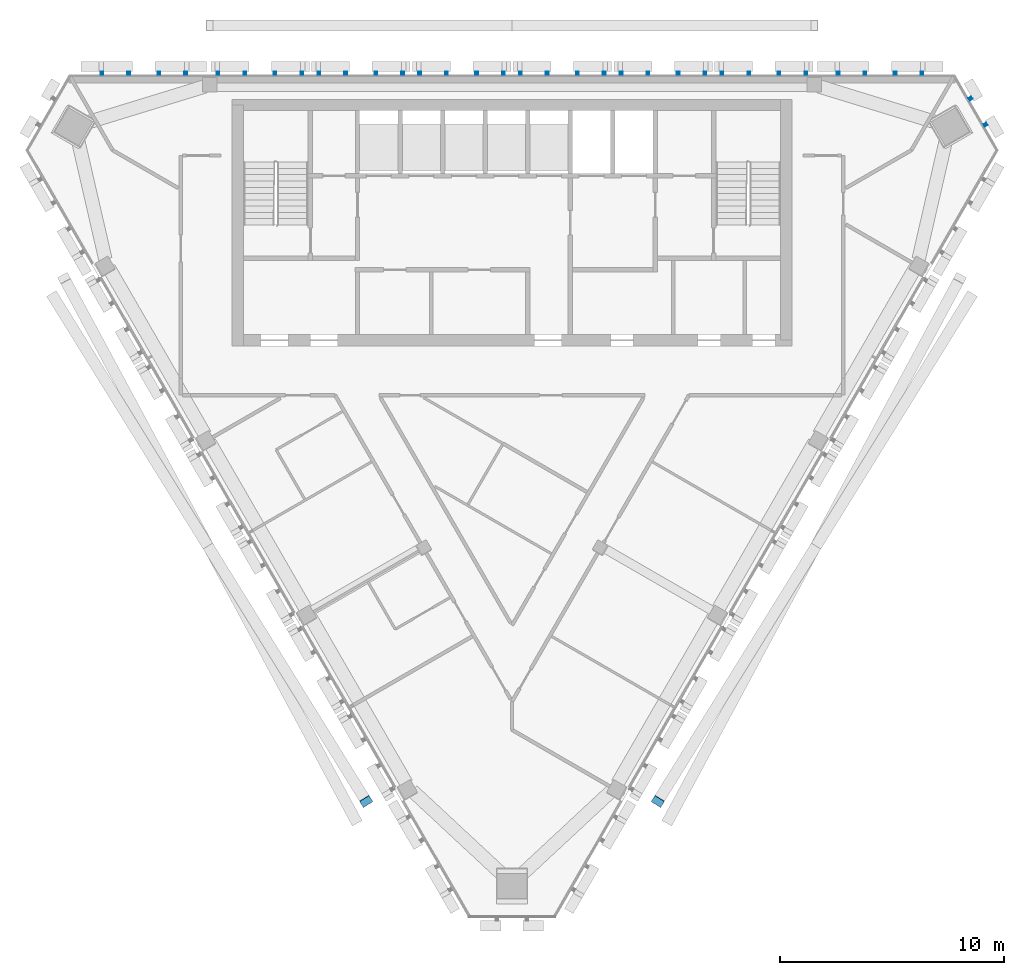
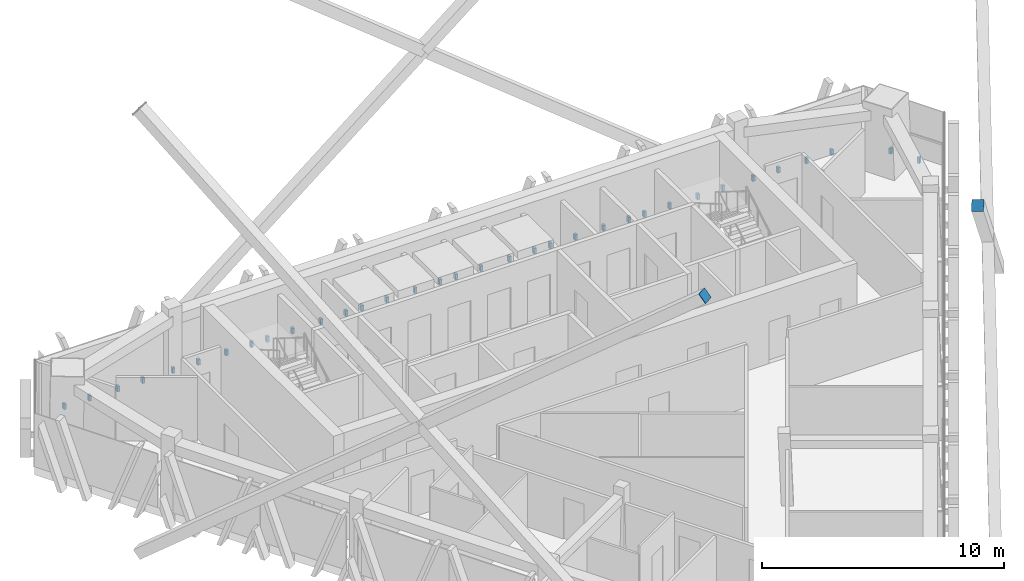
# One storey, part 9 of 12: 4 discrete accessories.
"""IFC4 building model written with IfcOpenShell, lengths in metres."""

from ifc_helpers import new_model, si_unit, direction, frame, origin, origin_2d, place, context, subcontext, project, spatial, polyline, rectangle, outline, extrude, source, transform, mapped, material, material_profile, profile_set, type_object, element, save


model = new_model("IFC4")

# Units and contexts
model_context = context("Model", 3, precision=1e-05, world=origin(), true_north=direction((0.0, 1.0)))
body_context = subcontext(model_context, "Body", "Model", "MODEL_VIEW")
ifc_project = project(units=[si_unit("LENGTHUNIT", "METRE"), si_unit("AREAUNIT", "SQUARE_METRE"), si_unit("VOLUMEUNIT", "CUBIC_METRE"), si_unit("PLANEANGLEUNIT", "RADIAN"), si_unit("MASSUNIT", "GRAM", prefix="KILO")], contexts=[model_context])

# Site, building, storey
site_placement = place(None, origin())
site = spatial("IfcSite", under=ifc_project, at=site_placement, CompositionType="ELEMENT")
building_placement = place(site_placement, origin())
building = spatial("IfcBuilding", under=site, at=building_placement, Name="Altiplano Prism Tower", CompositionType="ELEMENT")
storey_placement = place(building_placement, frame((0.0, 0.0, 313.0)))
storey = spatial("IfcBuildingStorey", under=building, at=storey_placement, Name="L81", CompositionType="ELEMENT", Elevation=313.0)

# Discrete accessories
ifc_material_1 = material(Name="Steel S355", Category="steel")
ifc_material_profile = material_profile(ifc_material_1, rectangle(XDim=0.5, YDim=0.5, at=origin_2d()), Name="Brace end plate 500x500x25")
ifc_profile_set = profile_set([ifc_material_profile], Name="Steel S355")
discrete_accessory_type_1 = type_object("IfcDiscreteAccessoryType", Name="Brace end plate 500x500x25", PredefinedType="ANCHORPLATE", material=ifc_profile_set)
for number, where, z_axis, x_axis, name in (
    (1, (78.492919921875, 72.546630859375, 20.949951171875), (-0.410308102616, 0.654539116078, -0.635000635001), (-0.84728708842, -0.531135189756, 0.0), "Brace end plate Mega brace 9.1.2 end 2"),
    (2, (91.507080078125, 72.546630859375, 20.949951171875), (0.410308102616, 0.654539116078, -0.635000635001), (-0.84728708842, 0.531135189756, 0.0), "Brace end plate Mega brace 9.2.4 end 2"),
):
    element("IfcDiscreteAccessory", number, at=place(storey_placement, frame(where, z_axis=z_axis, x_axis=x_axis)), inside=storey, type_object=discrete_accessory_type_1, Name=name, PredefinedType="ANCHORPLATE", context=body_context, shape_type="SweptSolid", body=[
        extrude(rectangle(XDim=0.5, YDim=0.5, at=origin_2d()), origin(), (0.0, 0.0, 1.0), 0.02490234375),
    ])
ifc_material_2 = material(Name="Stainless steel", Category="steel")
discrete_accessory_type_2 = type_object("IfcDiscreteAccessoryType", Name="Stone fin fixing prongs", PredefinedType="USERDEFINED", material=ifc_material_2)
shared_shape_1 = source(origin(), body_context, "Body", "SweptSolid", [
    extrude(outline(polyline([(-1.932861328125, 0.06005859375), (-1.812744140625, 0.06005859375), (-1.812744140625, 0.340087890625), (-1.932861328125, 0.340087890625), (-1.932861328125, 0.06005859375)])), frame((0.0, 0.0, 0.0), z_axis=(0.0, -1.0, 0.0), x_axis=(1.0, 0.0, 0.0)), (0.0, 0.0, 1.0), 0.14990234375),
    extrude(outline(polyline([(-0.73291015625, 0.06005859375), (-0.61279296875, 0.06005859375), (-0.61279296875, 0.340087890625), (-0.73291015625, 0.340087890625), (-0.73291015625, 0.06005859375)])), frame((0.0, 0.0, 0.0), z_axis=(0.0, -1.0, 0.0), x_axis=(1.0, 0.0, 0.0)), (0.0, 0.0, 1.0), 0.14990234375),
    extrude(outline(polyline([(0.61279296875, 0.06005859375), (0.73291015625, 0.06005859375), (0.73291015625, 0.340087890625), (0.61279296875, 0.340087890625), (0.61279296875, 0.06005859375)])), frame((0.0, 0.0, 0.0), z_axis=(0.0, -1.0, 0.0), x_axis=(1.0, 0.0, 0.0)), (0.0, 0.0, 1.0), 0.14990234375),
    extrude(outline(polyline([(1.812744140625, 0.06005859375), (1.932861328125, 0.06005859375), (1.932861328125, 0.340087890625), (1.812744140625, 0.340087890625), (1.812744140625, 0.06005859375)])), frame((0.0, 0.0, 0.0), z_axis=(0.0, -1.0, 0.0), x_axis=(1.0, 0.0, 0.0)), (0.0, 0.0, 1.0), 0.14990234375),
])
shared_shape_2 = source(origin(), body_context, "Body", "SweptSolid", [
    extrude(outline(polyline([(-1.932861328125, 0.06005859375), (-1.812744140625, 0.06005859375), (-1.812744140625, 0.340087890625), (-1.932861328125, 0.340087890625), (-1.932861328125, 0.06005859375)])), frame((0.0, 0.0, 0.0), z_axis=(0.0, -1.0, 0.0), x_axis=(1.0, 0.0, 0.0)), (0.0, 0.0, 1.0), 0.14990234375),
    extrude(outline(polyline([(-0.73291015625, 0.06005859375), (-0.61279296875, 0.06005859375), (-0.61279296875, 0.340087890625), (-0.73291015625, 0.340087890625), (-0.73291015625, 0.06005859375)])), frame((0.0, 0.0, 0.0), z_axis=(0.0, -1.0, 0.0), x_axis=(1.0, 0.0, 0.0)), (0.0, 0.0, 1.0), 0.14990234375),
    extrude(outline(polyline([(0.61279296875, 0.06005859375), (0.73291015625, 0.06005859375), (0.73291015625, 0.340087890625), (0.61279296875, 0.340087890625), (0.61279296875, 0.06005859375)])), frame((0.0, 0.0, 0.0), z_axis=(0.0, -1.0, 0.0), x_axis=(1.0, 0.0, 0.0)), (0.0, 0.0, 1.0), 0.14990234375),
    extrude(outline(polyline([(1.812744140625, 0.06005859375), (1.932861328125, 0.06005859375), (1.932861328125, 0.340087890625), (1.812744140625, 0.340087890625), (1.812744140625, 0.06005859375)])), frame((0.0, 0.0, 0.0), z_axis=(0.0, -1.0, 0.0), x_axis=(1.0, 0.0, 0.0)), (0.0, 0.0, 1.0), 0.14990234375),
])
discrete_accessory_1_placement = place(storey_placement, origin())
element("IfcDiscreteAccessory", 3, at=discrete_accessory_1_placement, inside=storey, type_object=discrete_accessory_type_2, Name="Fin fixings L81 north face", ObjectType="BRACKET", PredefinedType="USERDEFINED", context=body_context, shape_type="MappedRepresentation", body=[
    mapped(shared_shape_1, transform((101.439208984375, 105.0, -0.39990234375), x_axis=(-1.0, 0.0, 0.0), y_axis=(0.0, -1.0, 0.0), z_axis=(0.0, 0.0, 1.0))),
    mapped(shared_shape_2, transform((96.25, 105.0, -0.39990234375), x_axis=(-1.0, 0.0, 0.0), y_axis=(0.0, -1.0, 0.0), z_axis=(0.0, 0.0, 1.0))),
    mapped(shared_shape_2, transform((91.75, 105.0, -0.39990234375), x_axis=(-1.0, 0.0, 0.0), y_axis=(0.0, -1.0, 0.0), z_axis=(0.0, 0.0, 1.0))),
    mapped(shared_shape_2, transform((87.25, 105.0, -0.39990234375), x_axis=(-1.0, 0.0, 0.0), y_axis=(0.0, -1.0, 0.0), z_axis=(0.0, 0.0, 1.0))),
    mapped(shared_shape_2, transform((82.75, 105.0, -0.39990234375), x_axis=(-1.0, 0.0, 0.0), y_axis=(0.0, -1.0, 0.0), z_axis=(0.0, 0.0, 1.0))),
    mapped(shared_shape_2, transform((78.25, 105.0, -0.39990234375), x_axis=(-1.0, 0.0, 0.0), y_axis=(0.0, -1.0, 0.0), z_axis=(0.0, 0.0, 1.0))),
    mapped(shared_shape_2, transform((73.75, 105.0, -0.39990234375), x_axis=(-1.0, 0.0, 0.0), y_axis=(0.0, -1.0, 0.0), z_axis=(0.0, 0.0, 1.0))),
    mapped(shared_shape_1, transform((68.560791015625, 105.0, -0.39990234375), x_axis=(-1.0, 0.0, 0.0), y_axis=(0.0, -1.0, 0.0), z_axis=(0.0, 0.0, 1.0))),
])
shared_shape_3 = source(origin(), body_context, "Body", "SweptSolid", [
    extrude(outline(polyline([(-0.73291015625, 0.06005859375), (-0.61279296875, 0.06005859375), (-0.61279296875, 0.340087890625), (-0.73291015625, 0.340087890625), (-0.73291015625, 0.06005859375)])), frame((0.0, 0.0, 0.0), z_axis=(0.0, -1.0, 0.0), x_axis=(1.0, 0.0, 0.0)), (0.0, 0.0, 1.0), 0.14990234375),
    extrude(outline(polyline([(0.61279296875, 0.06005859375), (0.73291015625, 0.06005859375), (0.73291015625, 0.340087890625), (0.61279296875, 0.340087890625), (0.61279296875, 0.06005859375)])), frame((0.0, 0.0, 0.0), z_axis=(0.0, -1.0, 0.0), x_axis=(1.0, 0.0, 0.0)), (0.0, 0.0, 1.0), 0.14990234375),
])
discrete_accessory_2_placement = place(storey_placement, origin())
element("IfcDiscreteAccessory", 4, at=discrete_accessory_2_placement, inside=storey, type_object=discrete_accessory_type_2, Name="Fin fixings L81 north-east chamfer", ObjectType="BRACKET", PredefinedType="USERDEFINED", context=body_context, shape_type="MappedRepresentation", body=[
    mapped(shared_shape_3, transform((105.749755859375, 103.317626953125, -0.39990234375), x_axis=(-0.499999977027, 0.866025417048, 0.0), y_axis=(-0.866025417048, -0.499999977027, 0.0), z_axis=(0.0, 0.0, 1.0))),
])

save(model, "model.ifc")
